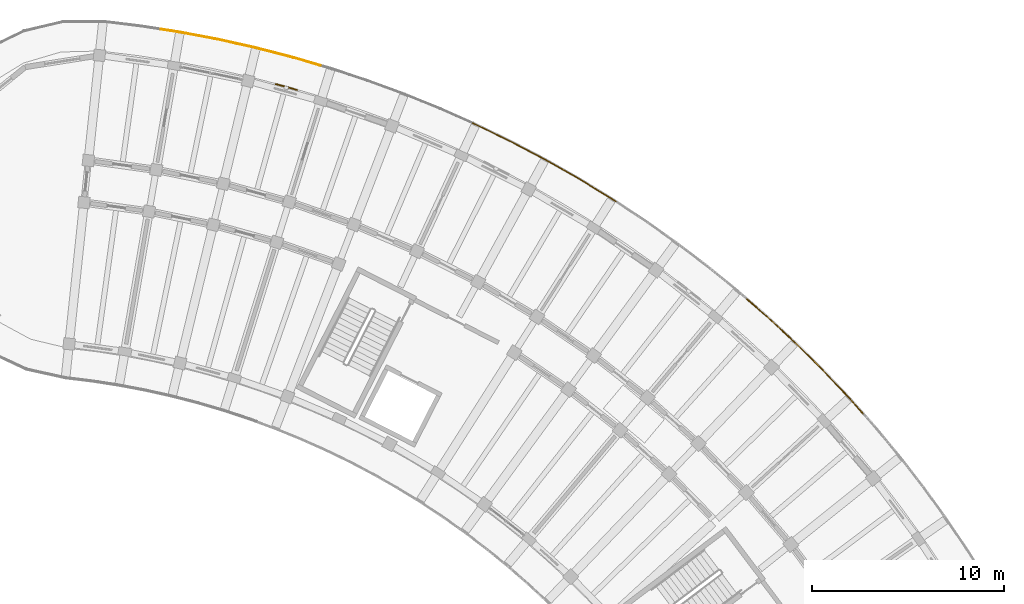
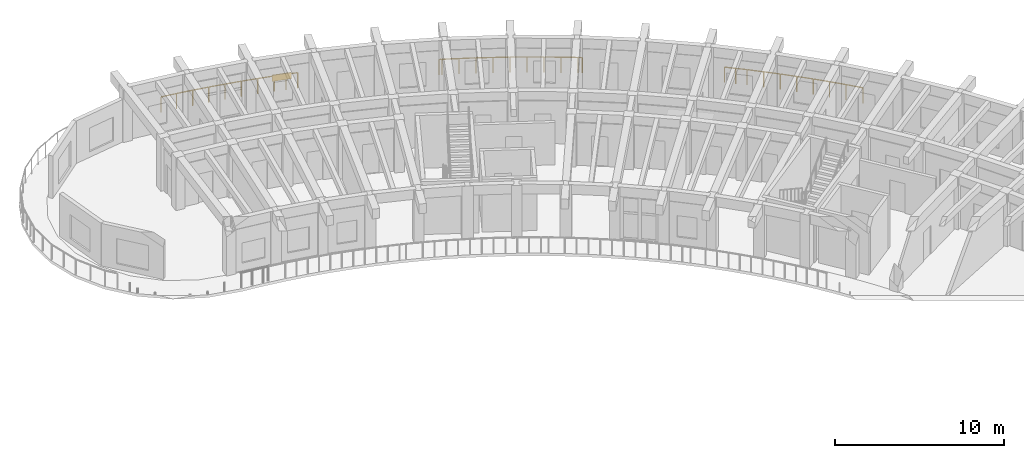
# One storey, part 128 of 128: 3 railings, 1 shading device.
"""IFC4 building model written with IfcOpenShell, lengths in metres."""

from ifc_helpers import new_model, si_unit, direction, frame, origin, origin_2d, place, context, subcontext, project, spatial, rectangle, circle, extrude, material, layer, layer_set, type_object, element, save


model = new_model("IFC4")

# Units and contexts
model_context = context("Model", 3, precision=1e-05, world=origin(), true_north=direction((0.0, 1.0)))
body_context = subcontext(model_context, "Body", "Model", "MODEL_VIEW")
ifc_project = project(units=[si_unit("LENGTHUNIT", "METRE"), si_unit("AREAUNIT", "SQUARE_METRE"), si_unit("VOLUMEUNIT", "CUBIC_METRE"), si_unit("PLANEANGLEUNIT", "RADIAN"), si_unit("MASSUNIT", "GRAM", prefix="KILO")], contexts=[model_context])

# Site, building, storey
site_placement = place(None, origin())
site = spatial("IfcSite", under=ifc_project, at=site_placement, CompositionType="ELEMENT")
building_placement = place(site_placement, origin())
building = spatial("IfcBuilding", under=site, at=building_placement, Name="Tanwirah Colonnade Gardens", CompositionType="ELEMENT")
storey_placement = place(building_placement, frame((0.0, 0.0, 4.760009765625)))
storey = spatial("IfcBuildingStorey", under=building, at=storey_placement, Name="L01", CompositionType="ELEMENT", Elevation=4.760009765625)

# Railings
ifc_material_1 = material(Name="Precast concrete C40/50", Category="concrete")
railing_type = type_object("IfcRailingType", Name="BAL-EXT112", PredefinedType="BALUSTRADE", material=ifc_material_1)
railing_1_placement = place(storey_placement, frame((130.427734375, 120.782470703125, 0.0)))
element("IfcRailing", 1, at=railing_1_placement, inside=storey, type_object=railing_type, Name="Block B L01 Balcony Ribbon Balustrade 11", PredefinedType="BALUSTRADE", context=body_context, shape_type="SweptSolid", body=[
    extrude(circle(Radius=0.02392578125, at=origin_2d()), frame((0.031005859375, -0.0048828125, 1.09619140625), z_axis=(0.988127200794, -0.153638000024, 0.0), x_axis=(0.153638000024, 0.988127200794, 0.0)), (0.0, 0.0, 1.0), 0.935302734375),
    extrude(circle(Radius=0.02392578125, at=origin_2d()), frame((1.016845703125, -0.1591796875, 1.09619140625), z_axis=(0.982549371225, -0.186001970705, 0.0), x_axis=(0.186001970705, 0.982549371225, 0.0)), (0.0, 0.0, 1.0), 1.958740234375),
    extrude(circle(Radius=0.02392578125, at=origin_2d()), frame((3.002685546875, -0.5361328125, 1.09619140625), z_axis=(0.975867729966, -0.218362482151, 0.0), x_axis=(0.218362482151, 0.975867729966, 0.0)), (0.0, 0.0, 1.0), 1.958984375),
    extrude(circle(Radius=0.02392578125, at=origin_2d()), frame((4.97509765625, -0.978515625, 1.09619140625), z_axis=(0.968157509899, -0.250341838346, 0.0), x_axis=(0.250341838346, 0.968157509899, 0.0)), (0.0, 0.0, 1.0), 1.959228515625),
    extrude(circle(Radius=0.02392578125, at=origin_2d()), frame((6.93212890625, -1.485595703125, 1.09619140625), z_axis=(0.959341160032, -0.282249072043, 0.0), x_axis=(0.282249072043, 0.959341160032, 0.0)), (0.0, 0.0, 1.0), 1.375),
    extrude(circle(Radius=0.02099609375, at=origin_2d()), origin(), (0.0, 0.0, 1.0), 1.069091796875),
    extrude(circle(Radius=0.02099609375, at=origin_2d()), frame((0.986083984375, -0.1533203125, 0.0)), (0.0, 0.0, 1.0), 1.069091796875),
    extrude(circle(Radius=0.02099609375, at=origin_2d()), frame((1.97900390625, -0.34130859375, 0.0)), (0.0, 0.0, 1.0), 1.069091796875),
    extrude(circle(Radius=0.02099609375, at=origin_2d()), frame((2.97216796875, -0.529296875, 0.0)), (0.0, 0.0, 1.0), 1.069091796875),
    extrude(circle(Radius=0.02099609375, at=origin_2d()), frame((3.95849609375, -0.75, 0.0)), (0.0, 0.0, 1.0), 1.069091796875),
    extrude(circle(Radius=0.02099609375, at=origin_2d()), frame((4.94482421875, -0.970703125, 0.0)), (0.0, 0.0, 1.0), 1.069091796875),
    extrude(circle(Radius=0.02099609375, at=origin_2d()), frame((5.92333984375, -1.2236328125, 0.0)), (0.0, 0.0, 1.0), 1.069091796875),
    extrude(circle(Radius=0.02099609375, at=origin_2d()), frame((6.902099609375, -1.476806640625, 0.0)), (0.0, 0.0, 1.0), 1.069091796875),
    extrude(circle(Radius=0.02099609375, at=origin_2d()), frame((7.591796875, -1.6796875, 0.0)), (0.0, 0.0, 1.0), 1.069091796875),
    extrude(circle(Radius=0.02099609375, at=origin_2d()), frame((8.28125, -1.882568359375, 0.0)), (0.0, 0.0, 1.0), 1.069091796875),
])
railing_2_placement = place(storey_placement, frame((146.652099609375, 115.893798828125, 0.0)))
element("IfcRailing", 2, at=railing_2_placement, inside=storey, type_object=railing_type, Name="Block B L01 Balcony Ribbon Balustrade 13", PredefinedType="BALUSTRADE", context=body_context, shape_type="SweptSolid", body=[
    extrude(circle(Radius=0.02392578125, at=origin_2d()), frame((0.028564453125, -0.0126953125, 1.09619140625), z_axis=(0.913930211461, -0.405871369499, 0.0), x_axis=(0.405871369499, 0.913930211461, 0.0)), (0.0, 0.0, 1.0), 0.107177734375),
    extrude(circle(Radius=0.02392578125, at=origin_2d()), frame((0.18310546875, -0.08251953125, 1.09619140625), z_axis=(0.900055350621, -0.435775591122, 0.0), x_axis=(0.435775591122, 0.900055350621, 0.0)), (0.0, 0.0, 1.0), 1.958740234375),
    extrude(circle(Radius=0.02392578125, at=origin_2d()), frame((2.001953125, -0.96435546875, 1.09619140625), z_axis=(0.885211446817, -0.465188880374, 0.0), x_axis=(0.465188880374, 0.885211446817, 0.0)), (0.0, 0.0, 1.0), 1.958984375),
    extrude(circle(Radius=0.02392578125, at=origin_2d()), frame((3.791015625, -1.905517578125, 1.09619140625), z_axis=(0.869392881113, -0.494121461049, 0.0), x_axis=(0.494121461049, 0.869392881113, 0.0)), (0.0, 0.0, 1.0), 1.958740234375),
    extrude(circle(Radius=0.02392578125, at=origin_2d()), frame((5.5478515625, -2.9052734375, 1.09619140625), z_axis=(0.852660263329, -0.522465764754, 0.0), x_axis=(0.522465764754, 0.852660263329, 0.0)), (0.0, 0.0, 1.0), 1.958984375),
    extrude(circle(Radius=0.02392578125, at=origin_2d()), frame((7.27099609375, -3.962158203125, 1.09619140625), z_axis=(0.834958204617, -0.550313362134, 0.0), x_axis=(0.550313362134, 0.834958204617, 0.0)), (0.0, 0.0, 1.0), 0.181884765625),
    extrude(circle(Radius=0.02099609375, at=origin_2d()), origin(), (0.0, 0.0, 1.0), 1.069091796875),
    extrude(circle(Radius=0.02099609375, at=origin_2d()), frame((0.155029296875, -0.06884765625, 0.0)), (0.0, 0.0, 1.0), 1.069091796875),
    extrude(circle(Radius=0.02099609375, at=origin_2d()), frame((1.064697265625, -0.50927734375, 0.0)), (0.0, 0.0, 1.0), 1.069091796875),
    extrude(circle(Radius=0.02099609375, at=origin_2d()), frame((1.974365234375, -0.94970703125, 0.0)), (0.0, 0.0, 1.0), 1.069091796875),
    extrude(circle(Radius=0.02099609375, at=origin_2d()), frame((2.869140625, -1.419921875, 0.0)), (0.0, 0.0, 1.0), 1.069091796875),
    extrude(circle(Radius=0.02099609375, at=origin_2d()), frame((3.763916015625, -1.89013671875, 0.0)), (0.0, 0.0, 1.0), 1.069091796875),
    extrude(circle(Radius=0.02099609375, at=origin_2d()), frame((4.642578125, -2.3896484375, 0.0)), (0.0, 0.0, 1.0), 1.069091796875),
    extrude(circle(Radius=0.02099609375, at=origin_2d()), frame((5.521240234375, -2.888916015625, 0.0)), (0.0, 0.0, 1.0), 1.069091796875),
    extrude(circle(Radius=0.02099609375, at=origin_2d()), frame((6.383056640625, -3.4169921875, 0.0)), (0.0, 0.0, 1.0), 1.069091796875),
    extrude(circle(Radius=0.02099609375, at=origin_2d()), frame((7.244873046875, -3.945068359375, 0.0)), (0.0, 0.0, 1.0), 1.069091796875),
    extrude(circle(Radius=0.02099609375, at=origin_2d()), frame((7.448974609375, -4.07958984375, 0.0)), (0.0, 0.0, 1.0), 1.069091796875),
])
railing_3_placement = place(storey_placement, frame((160.913330078125, 106.7421875, 0.0)))
element("IfcRailing", 3, at=railing_3_placement, inside=storey, type_object=railing_type, Name="Block B L01 Balcony Ribbon Balustrade 15", PredefinedType="BALUSTRADE", context=body_context, shape_type="SweptSolid", body=[
    extrude(circle(Radius=0.02392578125, at=origin_2d()), frame((0.023681640625, -0.0205078125, 1.09619140625), z_axis=(0.755322467302, -0.655353317218, 0.0), x_axis=(0.655353317218, 0.755322467302, 0.0)), (0.0, 0.0, 1.0), 1.30029296875),
    extrude(circle(Radius=0.02392578125, at=origin_2d()), frame((1.05224609375, -0.914306640625, 1.09619140625), z_axis=(0.733352454033, -0.679848643569, 0.0), x_axis=(0.679848643569, 0.733352454033, 0.0)), (0.0, 0.0, 1.0), 1.958984375),
    extrude(circle(Radius=0.02392578125, at=origin_2d()), frame((2.533935546875, -2.289306640625, 1.09619140625), z_axis=(0.710480209462, -0.703717181801, 0.0), x_axis=(0.703717181801, 0.710480209462, 0.0)), (0.0, 0.0, 1.0), 1.958984375),
    extrude(circle(Radius=0.02392578125, at=origin_2d()), frame((3.969482421875, -3.712646484375, 1.09619140625), z_axis=(0.686960364449, -0.726694886232, 0.0), x_axis=(0.726694886232, 0.686960364449, 0.0)), (0.0, 0.0, 1.0), 1.958984375),
    extrude(circle(Radius=0.02392578125, at=origin_2d()), frame((5.357421875, -5.182373046875, 1.09619140625), z_axis=(0.662667168974, -0.748914029221, 0.0), x_axis=(0.748914029221, 0.662667168974, 0.0)), (0.0, 0.0, 1.0), 1.01025390625),
    extrude(circle(Radius=0.02099609375, at=origin_2d()), origin(), (0.0, 0.0, 1.0), 1.069091796875),
    extrude(circle(Radius=0.02099609375, at=origin_2d()), frame((0.5146484375, -0.446533203125, 0.0)), (0.0, 0.0, 1.0), 1.069091796875),
    extrude(circle(Radius=0.02099609375, at=origin_2d()), frame((1.029296875, -0.89306640625, 0.0)), (0.0, 0.0, 1.0), 1.069091796875),
    extrude(circle(Radius=0.02099609375, at=origin_2d()), frame((1.7705078125, -1.580078125, 0.0)), (0.0, 0.0, 1.0), 1.069091796875),
    extrude(circle(Radius=0.02099609375, at=origin_2d()), frame((2.51171875, -2.267333984375, 0.0)), (0.0, 0.0, 1.0), 1.069091796875),
    extrude(circle(Radius=0.02099609375, at=origin_2d()), frame((3.22998046875, -2.978515625, 0.0)), (0.0, 0.0, 1.0), 1.069091796875),
    extrude(circle(Radius=0.02099609375, at=origin_2d()), frame((3.947998046875, -3.68994140625, 0.0)), (0.0, 0.0, 1.0), 1.069091796875),
    extrude(circle(Radius=0.02099609375, at=origin_2d()), frame((4.642333984375, -4.42431640625, 0.0)), (0.0, 0.0, 1.0), 1.069091796875),
    extrude(circle(Radius=0.02099609375, at=origin_2d()), frame((5.336669921875, -5.158935546875, 0.0)), (0.0, 0.0, 1.0), 1.069091796875),
    extrude(circle(Radius=0.02099609375, at=origin_2d()), frame((6.047607421875, -5.96240234375, 0.0)), (0.0, 0.0, 1.0), 1.069091796875),
])

# Shading device
ifc_material_2 = material(Name="Perforated architectural bronze aluminium", Category="aluminium")
ifc_layer = layer(ifc_material_2, 0.050048828125)
ifc_layer_set = layer_set([ifc_layer], Name="Perforated architectural bronze aluminium")
shading_device_type = type_object("IfcShadingDeviceType", Name="SHD-OVH1", PredefinedType="SHUTTER", material=ifc_layer_set)
shading_device_placement = place(storey_placement, frame((136.954345703125, 117.778076171875, 1.865234375), z_axis=(0.0, 0.0, 1.0), x_axis=(-0.96388910862, 0.266303935914, 0.0)))
element("IfcShadingDevice", 4, at=shading_device_placement, inside=storey, type_object=shading_device_type, Name="Solar shading louver hood B-L01-15", PredefinedType="SHUTTER", context=body_context, shape_type="SweptSolid", body=[
    extrude(rectangle(XDim=1.179931640625, YDim=0.06005859375, at=origin_2d()), origin(), (0.0, 0.0, 1.0), 0.449951171875),
])

save(model, "model.ifc")
